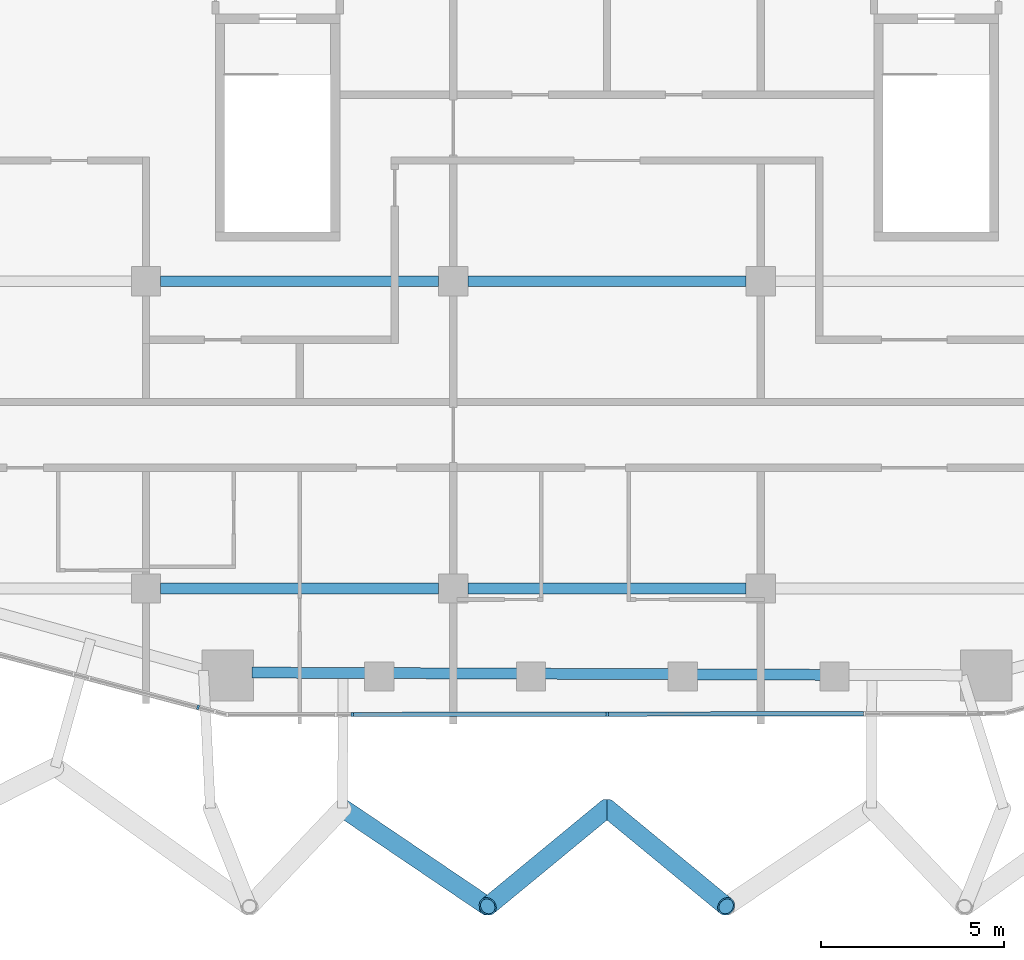
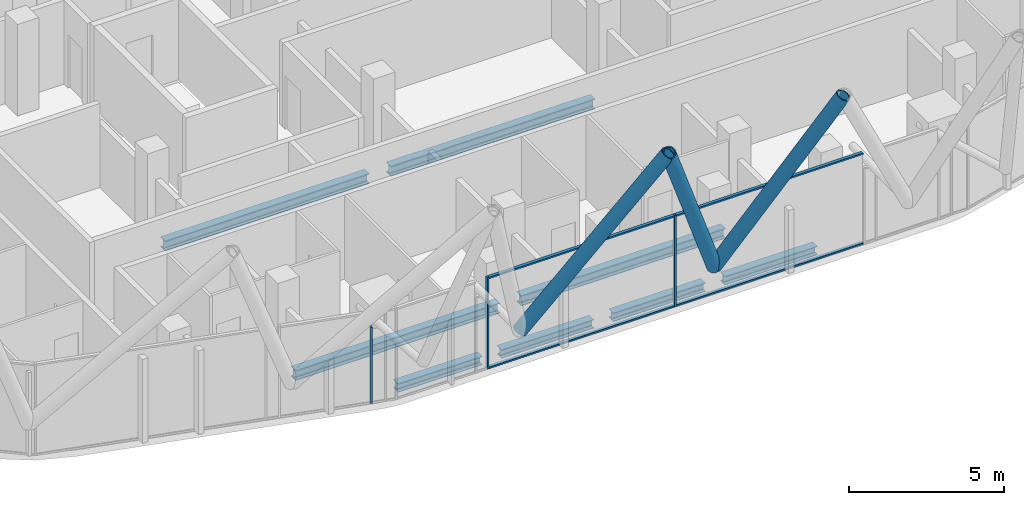
# One storey, part 3 of 33: 10 members, 8 beams, 2 elements without a shape of their own.
"""IFC4 building model written with IfcOpenShell, lengths in metres."""

from ifc_helpers import new_model, si_unit, direction, frame, origin, origin_2d, place, context, subcontext, project, spatial, rectangle, hollow_circle, i_section, extrude, material, layer, layer_set, material_profile, profile_set, type_object, element, aggregate, save


model = new_model("IFC4")

# Units and contexts
model_context = context("Model", 3, precision=1e-05, world=origin(), true_north=direction((0.0, 1.0)))
body_context = subcontext(model_context, "Body", "Model", "MODEL_VIEW")
ifc_project = project(units=[si_unit("LENGTHUNIT", "METRE"), si_unit("AREAUNIT", "SQUARE_METRE"), si_unit("VOLUMEUNIT", "CUBIC_METRE"), si_unit("PLANEANGLEUNIT", "RADIAN"), si_unit("MASSUNIT", "GRAM", prefix="KILO")], contexts=[model_context])

# Site, building, storey
site_placement = place(None, origin())
site = spatial("IfcSite", under=ifc_project, at=site_placement, CompositionType="ELEMENT")
building_placement = place(site_placement, origin())
building = spatial("IfcBuilding", under=site, at=building_placement, Name="Marenta Gate Hotel Tower", CompositionType="ELEMENT")
storey_placement = place(building_placement, frame((0.0, 0.0, 248.89990234375)))
storey = spatial("IfcBuildingStorey", under=building, at=storey_placement, Name="L59", CompositionType="ELEMENT", Elevation=248.89990234375)

# Members
ifc_material_1 = material(Name="Steel S355J2W", Category="steel")
ifc_material_profile_1 = material_profile(ifc_material_1, hollow_circle(Radius=0.25390625, WallThickness=0.0400390625, at=origin_2d()), Name="CHS 508x40")
ifc_profile_set_1 = profile_set([ifc_material_profile_1], Name="Steel S355J2W")
member_type_1 = type_object("IfcMemberType", Name="Diagrid diagonal T3 CHS 508x40", PredefinedType="BRACE", material=ifc_profile_set_1)
for number, where, z_axis, x_axis, name in (
    (1, (0.0, -31.199951171875, 3.14013671875), (0.390350863706, -0.321699422933, 0.862632995247), (0.635982874894, 0.771703170164, 0.0), "L59-DG-17"),
    (2, (0.0, -31.199951171875, 3.14013671875), (-0.390350863706, -0.321699422933, 0.862632995247), (0.635982874894, -0.771703170164, 0.0), "L59-DG-18"),
):
    element("IfcMember", number, at=place(storey_placement, frame(where, z_axis=z_axis, x_axis=x_axis)), inside=storey, type_object=member_type_1, Name=name, PredefinedType="BRACE", context=body_context, shape_type="SweptSolid", body=[
        extrude(hollow_circle(Radius=0.25390625, WallThickness=0.0400390625, at=origin_2d()), origin(), (0.0, 0.0, 1.0), 8.346435546875),
    ])
member_1_placement = place(storey_placement, frame((-7.22607421875, -31.199951171875, 3.14013671875), z_axis=(0.458817746261, -0.310470533032, 0.832522866854), x_axis=(0.560425550296, 0.828204807143, 0.0)))
element("IfcMember", 3, at=member_1_placement, inside=storey, type_object=member_type_1, Name="L59-DG-19", PredefinedType="BRACE", context=body_context, shape_type="SweptSolid", body=[
    extrude(hollow_circle(Radius=0.25390625, WallThickness=0.0400390625, at=origin_2d()), origin(), (0.0, 0.0, 1.0), 8.6484375),
])

# Beams
ifc_material_2 = material(Name="Steel S355", Category="steel")
ifc_material_profile_2 = material_profile(ifc_material_2, i_section(OverallWidth=0.300048828125, OverallDepth=0.340087890625, WebThickness=0.011962890625, FlangeThickness=0.021484375, FilletRadius=0.027099609375, at=origin_2d()), Name="HEB 340")
ifc_profile_set_2 = profile_set([ifc_material_profile_2], Name="Steel S355")
beam_type_1 = type_object("IfcBeamType", Name="Edge beam HEB 340", PredefinedType="SPANDREL", material=ifc_profile_set_2)
for number, where, z_axis, x_axis, name in (
    (4, (5.860107421875, -27.555419921875, -0.429931640625), (-0.999992599416, 0.003847221457, 0.0), (-0.003847221457, -0.999992599416, 0.0), "L59-EB-33"),
    (5, (1.71337890625, -27.539306640625, -0.429931640625), (-0.999992599416, 0.003847221457, 0.0), (-0.003847221457, -0.999992599416, 0.0), "L59-EB-34"),
    (6, (-2.433349609375, -27.5234375, -0.429931640625), (-0.999992599416, 0.003847221457, 0.0), (-0.003847221457, -0.999992599416, 0.0), "L59-EB-35"),
):
    element("IfcBeam", number, at=place(storey_placement, frame(where, z_axis=z_axis, x_axis=x_axis)), inside=storey, type_object=beam_type_1, Name=name, PredefinedType="SPANDREL", context=body_context, shape_type="SweptSolid", body=[
        extrude(i_section(OverallWidth=0.300048828125, OverallDepth=0.340087890625, WebThickness=0.011962890625, FlangeThickness=0.021484375, FilletRadius=0.027099609375, at=origin_2d()), origin(), (0.0, 0.0, 1.0), 3.4267578125),
    ])
beam_1_placement = place(storey_placement, frame((-6.580078125, -27.507568359375, -0.429931640625), z_axis=(-0.99999237665, 0.00390469495, 0.0), x_axis=(-0.00390469495, -0.99999237665, 0.0)))
element("IfcBeam", 7, at=beam_1_placement, inside=storey, type_object=beam_type_1, Name="L59-EB-36", PredefinedType="SPANDREL", context=body_context, shape_type="SweptSolid", body=[
    extrude(i_section(OverallWidth=0.300048828125, OverallDepth=0.340087890625, WebThickness=0.011962890625, FlangeThickness=0.021484375, FilletRadius=0.027099609375, at=origin_2d()), origin(), (0.0, 0.0, 1.0), 3.126220703125),
])
ifc_material_3 = material(Name="Steel S355", Category="steel")
ifc_material_profile_3 = material_profile(ifc_material_3, i_section(OverallWidth=0.300048828125, OverallDepth=0.39990234375, WebThickness=0.013427734375, FlangeThickness=0.02392578125, FilletRadius=0.027099609375, at=origin_2d()), Name="HEB 400")
ifc_profile_set_3 = profile_set([ifc_material_profile_3], Name="Steel S355")
beam_type_2 = type_object("IfcBeamType", Name="Girder HEB 400", PredefinedType="BEAM", material=ifc_profile_set_3)
beam_2_placement = place(storey_placement, frame((-12.199951171875, -25.199951171875, -0.4599609375), z_axis=(1.0, 0.0, 0.0), x_axis=(0.0, 1.0, 0.0)))
element("IfcBeam", 8, at=beam_2_placement, inside=storey, type_object=beam_type_2, Name="L59-GD-2", PredefinedType="BEAM", context=body_context, shape_type="SweptSolid", body=[
    extrude(i_section(OverallWidth=0.300048828125, OverallDepth=0.39990234375, WebThickness=0.013427734375, FlangeThickness=0.02392578125, FilletRadius=0.027099609375, at=origin_2d()), origin(), (0.0, 0.0, 1.0), 7.599853515625),
])
beam_3_placement = place(storey_placement, frame((-3.800048828125, -25.199951171875, -0.4599609375), z_axis=(1.0, 0.0, 0.0), x_axis=(0.0, 1.0, 0.0)))
element("IfcBeam", 9, at=beam_3_placement, inside=storey, type_object=beam_type_2, Name="L59-GD-3", PredefinedType="BEAM", context=body_context, shape_type="SweptSolid", body=[
    extrude(i_section(OverallWidth=0.300048828125, OverallDepth=0.39990234375, WebThickness=0.013427734375, FlangeThickness=0.02392578125, FilletRadius=0.027099609375, at=origin_2d()), origin(), (0.0, 0.0, 1.0), 7.60009765625),
])
beam_4_placement = place(storey_placement, frame((-12.199951171875, -16.800048828125, -0.4599609375), z_axis=(1.0, 0.0, 0.0), x_axis=(0.0, 1.0, 0.0)))
element("IfcBeam", 10, at=beam_4_placement, inside=storey, type_object=beam_type_2, Name="L59-GD-8", PredefinedType="BEAM", context=body_context, shape_type="SweptSolid", body=[
    extrude(i_section(OverallWidth=0.300048828125, OverallDepth=0.39990234375, WebThickness=0.013427734375, FlangeThickness=0.02392578125, FilletRadius=0.027099609375, at=origin_2d()), origin(), (0.0, 0.0, 1.0), 7.599853515625),
])
beam_5_placement = place(storey_placement, frame((-3.800048828125, -16.800048828125, -0.4599609375), z_axis=(1.0, 0.0, 0.0), x_axis=(0.0, 1.0, 0.0)))
element("IfcBeam", 11, at=beam_5_placement, inside=storey, type_object=beam_type_2, Name="L59-GD-9", PredefinedType="BEAM", context=body_context, shape_type="SweptSolid", body=[
    extrude(i_section(OverallWidth=0.300048828125, OverallDepth=0.39990234375, WebThickness=0.013427734375, FlangeThickness=0.02392578125, FilletRadius=0.027099609375, at=origin_2d()), origin(), (0.0, 0.0, 1.0), 7.60009765625),
])

# Curtain wall, member
ifc_material_4 = material(Name="Tinted insulated glass in bronze anodised frame", Category="glass")
ifc_layer = layer(ifc_material_4, 0.1201171875)
ifc_layer_set = layer_set([ifc_layer], Name="Tinted insulated glass in bronze anodised frame")
curtain_wall_type = type_object("IfcCurtainWallType", Name="Tower unitised curtain wall CW1", PredefinedType="NOTDEFINED", material=ifc_layer_set)
curtain_wall_1_placement = place(storey_placement, origin())
curtain_wall_1 = element("IfcCurtainWall", 12, at=curtain_wall_1_placement, inside=storey, type_object=curtain_wall_type, Name="CW1 run G17", PredefinedType="NOTDEFINED")
ifc_material_5 = material(Name="Bronze anodised aluminium", Category="aluminium")
ifc_material_profile_4 = material_profile(ifc_material_5, rectangle(XDim=0.1201171875, YDim=0.06005859375, at=origin_2d()), Name="Mullion CW1 60x120 bronze anodised aluminium")
ifc_profile_set_4 = profile_set([ifc_material_profile_4], Name="Bronze anodised aluminium")
member_type_2 = type_object("IfcMemberType", Name="Mullion CW1 60x120 bronze anodised aluminium", PredefinedType="MULLION", material=ifc_profile_set_4)
member_2_placement = place(storey_placement, frame((-11.175048828125, -28.44287109375, 0.0), z_axis=(0.0, 0.0, 1.0), x_axis=(0.257099982864, 0.966384808868, 0.0)))
member_2 = element("IfcMember", 13, at=member_2_placement, type_object=member_type_2, Name="CW1 mullion 1", PredefinedType="MULLION", context=body_context, shape_type="SweptSolid", body=[
    extrude(rectangle(XDim=0.1201171875, YDim=0.06005859375, at=origin_2d()), origin(), (0.0, 0.0, 1.0), 3.00048828125),
])
aggregate(curtain_wall_1, [member_2])

# Curtain wall, members
curtain_wall_2_placement = place(storey_placement, origin())
curtain_wall_2 = element("IfcCurtainWall", 14, at=curtain_wall_2_placement, inside=storey, type_object=curtain_wall_type, Name="CW1 run G21", PredefinedType="NOTDEFINED")
member_3_placement = place(storey_placement, frame((-6.959716796875, -28.641845703125, 0.0), z_axis=(0.0, 0.0, 1.0), x_axis=(-0.001635805569, 0.999998662069, 0.0)))
member_3 = element("IfcMember", 15, at=member_3_placement, type_object=member_type_2, Name="CW1 mullion 1", PredefinedType="MULLION", context=body_context, shape_type="SweptSolid", body=[
    extrude(rectangle(XDim=0.1201171875, YDim=0.06005859375, at=origin_2d()), origin(), (0.0, 0.0, 1.0), 3.60009765625),
])
member_4_placement = place(storey_placement, frame((0.010009765625, -28.63037109375, 0.0), z_axis=(0.0, 0.0, 1.0), x_axis=(-0.001635805569, 0.999998662069, 0.0)))
member_4 = element("IfcMember", 16, at=member_4_placement, type_object=member_type_2, Name="CW1 mullion 2", PredefinedType="MULLION", context=body_context, shape_type="SweptSolid", body=[
    extrude(rectangle(XDim=0.1201171875, YDim=0.06005859375, at=origin_2d()), origin(), (0.0, 0.0, 1.0), 3.60009765625),
])
ifc_material_6 = material(Name="Bronze anodised aluminium", Category="aluminium")
ifc_material_profile_5 = material_profile(ifc_material_6, rectangle(XDim=0.1201171875, YDim=0.06005859375, at=origin_2d()), Name="Transom CW1 60x120 bronze anodised aluminium")
ifc_profile_set_5 = profile_set([ifc_material_profile_5], Name="Bronze anodised aluminium")
member_type_3 = type_object("IfcMemberType", Name="Transom CW1 60x120 bronze anodised aluminium", PredefinedType="USERDEFINED", material=ifc_profile_set_5)
member_5_placement = place(storey_placement, frame((-6.9296875, -28.6416015625, 0.030029296875), z_axis=(0.999998679159, 0.001625324685, 0.0), x_axis=(-0.001625324685, 0.999998679159, 0.0)))
member_5 = element("IfcMember", 17, at=member_5_placement, type_object=member_type_3, Name="CW1 transom 1.1", ObjectType="TRANSOM", PredefinedType="USERDEFINED", context=body_context, shape_type="SweptSolid", body=[
    extrude(rectangle(XDim=0.1201171875, YDim=0.06005859375, at=origin_2d()), origin(), (0.0, 0.0, 1.0), 6.90966796875),
])
member_6_placement = place(storey_placement, frame((-6.9296875, -28.6416015625, 3.570068359375), z_axis=(0.999998679159, 0.001625324685, 0.0), x_axis=(-0.001625324685, 0.999998679159, 0.0)))
member_6 = element("IfcMember", 18, at=member_6_placement, type_object=member_type_3, Name="CW1 transom 1.2", ObjectType="TRANSOM", PredefinedType="USERDEFINED", context=body_context, shape_type="SweptSolid", body=[
    extrude(rectangle(XDim=0.1201171875, YDim=0.06005859375, at=origin_2d()), origin(), (0.0, 0.0, 1.0), 6.90966796875),
])
member_7_placement = place(storey_placement, frame((0.039794921875, -28.63037109375, 0.030029296875), z_axis=(0.999998644769, 0.001646347776, 0.0), x_axis=(-0.001646347776, 0.999998644769, 0.0)))
member_7 = element("IfcMember", 19, at=member_7_placement, type_object=member_type_3, Name="CW1 transom 2.1", ObjectType="TRANSOM", PredefinedType="USERDEFINED", context=body_context, shape_type="SweptSolid", body=[
    extrude(rectangle(XDim=0.1201171875, YDim=0.06005859375, at=origin_2d()), origin(), (0.0, 0.0, 1.0), 6.9697265625),
])
member_8_placement = place(storey_placement, frame((0.039794921875, -28.63037109375, 3.570068359375), z_axis=(0.999998644769, 0.001646347776, 0.0), x_axis=(-0.001646347776, 0.999998644769, 0.0)))
member_8 = element("IfcMember", 20, at=member_8_placement, type_object=member_type_3, Name="CW1 transom 2.2", ObjectType="TRANSOM", PredefinedType="USERDEFINED", context=body_context, shape_type="SweptSolid", body=[
    extrude(rectangle(XDim=0.1201171875, YDim=0.06005859375, at=origin_2d()), origin(), (0.0, 0.0, 1.0), 6.9697265625),
])
aggregate(curtain_wall_2, [member_3, member_4, member_5, member_6, member_7, member_8])

save(model, "model.ifc")
